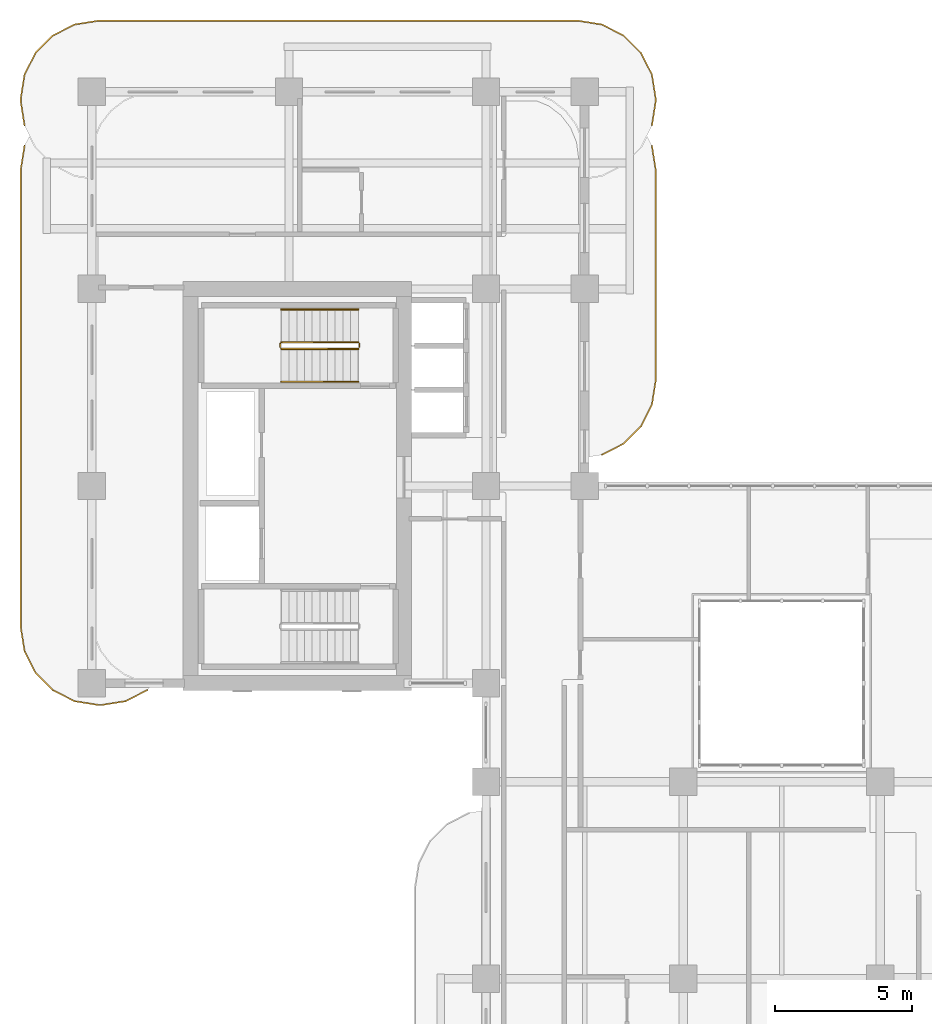
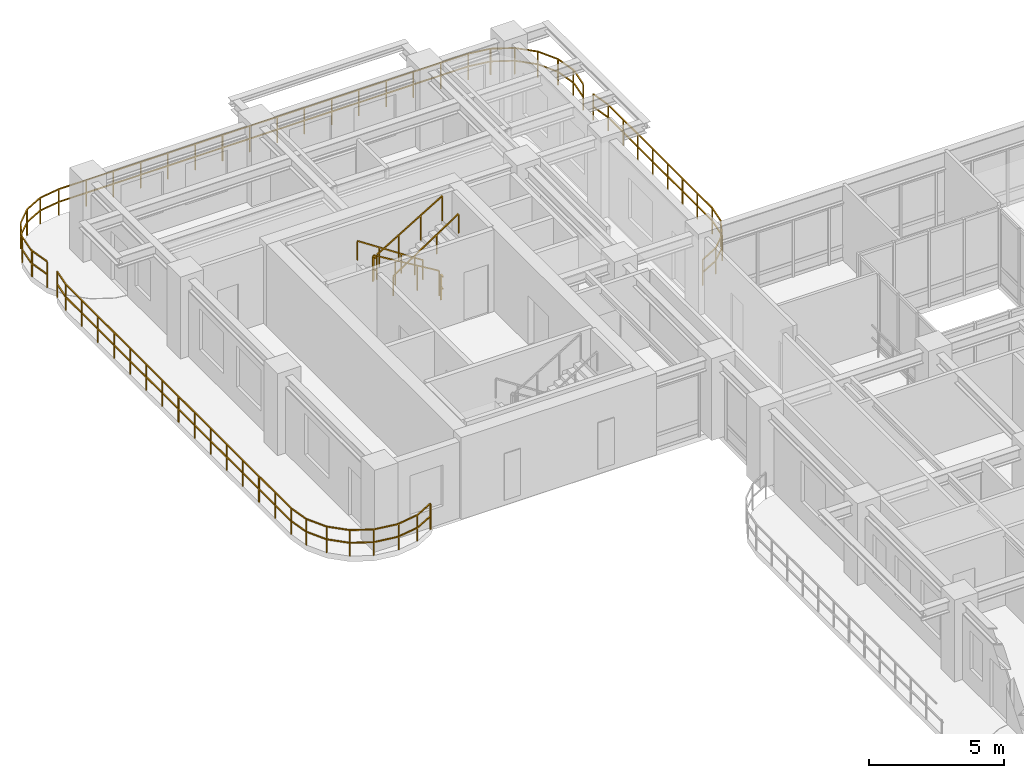
# One storey, part 20 of 20: 9 railings.
"""IFC4 building model written with IfcOpenShell, lengths in metres."""

from ifc_helpers import new_model, si_unit, derived_unit, direction, frame, origin, origin_2d, place, context, subcontext, project, spatial, rectangle, extrude, material, type_object, element, save


model = new_model("IFC4")

# Units and contexts
model_context = context("Model", 3, precision=1e-05, world=origin(), true_north=direction((0.0, 1.0)))
body_context = subcontext(model_context, "Body", "Model", "MODEL_VIEW")
ifc_project = project(units=[si_unit("LENGTHUNIT", "METRE"), si_unit("AREAUNIT", "SQUARE_METRE"), si_unit("VOLUMEUNIT", "CUBIC_METRE"), si_unit("PLANEANGLEUNIT", "RADIAN"), si_unit("MASSUNIT", "GRAM", prefix="KILO"), si_unit("THERMODYNAMICTEMPERATUREUNIT", "KELVIN"), si_unit("POWERUNIT", "WATT"), derived_unit("THERMALTRANSMITTANCEUNIT", [(si_unit("POWERUNIT", "WATT"), 1), (si_unit("AREAUNIT", "SQUARE_METRE"), -1), (si_unit("THERMODYNAMICTEMPERATUREUNIT", "KELVIN"), -1)])], contexts=[model_context])

# Site, building, storey
site_placement = place(None, origin())
site = spatial("IfcSite", under=ifc_project, at=site_placement, CompositionType="ELEMENT")
building_placement = place(site_placement, origin())
building = spatial("IfcBuilding", under=site, at=building_placement, Name="Zahravan Archway Hotel and Residences", CompositionType="ELEMENT")
storey_placement = place(building_placement, frame((0.0, 0.0, 137.699951171875)))
storey = spatial("IfcBuildingStorey", under=building, at=storey_placement, Name="L34", CompositionType="ELEMENT", Elevation=137.699951171875)

# Railings
ifc_material_1 = material(Name="Bronze & Laminated Glass Balustrade", Category="glass")
railing_type_1 = type_object("IfcRailingType", Name="RL-BAL-1200", PredefinedType="BALUSTRADE", material=ifc_material_1)
railing_1_placement = place(storey_placement, frame((-2.46044921875, 45.5693359375, 0.0)))
element("IfcRailing", 1, at=railing_1_placement, inside=storey, type_object=railing_type_1, Name="L34 Balustrade RL-SLB-BAL-L34-NB-1", PredefinedType="BALUSTRADE", context=body_context, shape_type="SweptSolid", body=[
    extrude(rectangle(XDim=0.048095703125, YDim=0.048095703125, at=origin_2d()), frame((0.0, 0.0, 1.17578125), z_axis=(-0.156623399917, 0.987658397726, 0.0), x_axis=(-0.987658397726, -0.156623399917, 0.0)), (0.0, 0.0, 1.0), 0.8916015625),
    extrude(rectangle(XDim=0.048095703125, YDim=0.048095703125, at=origin_2d()), frame((0.0, 0.0, 0.60009765625), z_axis=(-0.156623399917, 0.987658397726, 0.0), x_axis=(-0.987658397726, -0.156623399917, 0.0)), (0.0, 0.0, 1.0), 0.8916015625),
    extrude(rectangle(XDim=0.048095703125, YDim=0.048095703125, at=origin_2d()), frame((-0.1396484375, 0.880615234375, 1.17578125), z_axis=(0.0, 1.0, 0.0), x_axis=(-1.0, 0.0, 0.0)), (0.0, 0.0, 1.0), 0.10009765625),
    extrude(rectangle(XDim=0.048095703125, YDim=0.048095703125, at=origin_2d()), frame((-0.1396484375, 0.880615234375, 0.60009765625), z_axis=(0.0, 1.0, 0.0), x_axis=(-1.0, 0.0, 0.0)), (0.0, 0.0, 1.0), 0.10009765625),
    extrude(rectangle(XDim=0.048095703125, YDim=0.048095703125, at=origin_2d()), frame((-0.1396484375, 0.980712890625, 1.17578125), z_axis=(0.156623399917, 0.987658397726, 0.0), x_axis=(-0.987658397726, 0.156623399917, 0.0)), (0.0, 0.0, 1.0), 0.8916015625),
    extrude(rectangle(XDim=0.048095703125, YDim=0.048095703125, at=origin_2d()), frame((-0.1396484375, 0.980712890625, 0.60009765625), z_axis=(0.156623399917, 0.987658397726, 0.0), x_axis=(-0.987658397726, 0.156623399917, 0.0)), (0.0, 0.0, 1.0), 0.8916015625),
    extrude(rectangle(XDim=0.048095703125, YDim=0.048095703125, at=origin_2d()), frame((0.0, 1.861328125, 1.17578125), z_axis=(0.453991409995, 0.891006060389, 0.0), x_axis=(-0.891006060389, 0.453991409995, 0.0)), (0.0, 0.0, 1.0), 0.8916015625),
    extrude(rectangle(XDim=0.048095703125, YDim=0.048095703125, at=origin_2d()), frame((0.0, 1.861328125, 0.60009765625), z_axis=(0.453991409995, 0.891006060389, 0.0), x_axis=(-0.891006060389, 0.453991409995, 0.0)), (0.0, 0.0, 1.0), 0.8916015625),
    extrude(rectangle(XDim=0.048095703125, YDim=0.048095703125, at=origin_2d()), frame((0.40478515625, 2.65576171875, 1.17578125), z_axis=(0.706969864397, 0.70724367147, 0.0), x_axis=(-0.70724367147, 0.706969864397, 0.0)), (0.0, 0.0, 1.0), 0.8916015625),
    extrude(rectangle(XDim=0.048095703125, YDim=0.048095703125, at=origin_2d()), frame((0.40478515625, 2.65576171875, 0.60009765625), z_axis=(0.706969864397, 0.70724367147, 0.0), x_axis=(-0.70724367147, 0.706969864397, 0.0)), (0.0, 0.0, 1.0), 0.8916015625),
    extrude(rectangle(XDim=0.048095703125, YDim=0.048095703125, at=origin_2d()), frame((1.03515625, 3.286376953125, 1.17578125), z_axis=(0.891062476022, 0.45388067135, 0.0), x_axis=(-0.45388067135, 0.891062476022, 0.0)), (0.0, 0.0, 1.0), 0.891845703125),
    extrude(rectangle(XDim=0.048095703125, YDim=0.048095703125, at=origin_2d()), frame((1.03515625, 3.286376953125, 0.60009765625), z_axis=(0.891062476022, 0.45388067135, 0.0), x_axis=(-0.45388067135, 0.891062476022, 0.0)), (0.0, 0.0, 1.0), 0.891845703125),
    extrude(rectangle(XDim=0.048095703125, YDim=0.048095703125, at=origin_2d()), frame((1.829833984375, 3.691162109375, 1.17578125), z_axis=(0.987700720307, 0.156356282588, 0.0), x_axis=(-0.156356282588, 0.987700720307, 0.0)), (0.0, 0.0, 1.0), 0.8916015625),
    extrude(rectangle(XDim=0.048095703125, YDim=0.048095703125, at=origin_2d()), frame((1.829833984375, 3.691162109375, 0.60009765625), z_axis=(0.987700720307, 0.156356282588, 0.0), x_axis=(-0.156356282588, 0.987700720307, 0.0)), (0.0, 0.0, 1.0), 0.8916015625),
    extrude(rectangle(XDim=0.048095703125, YDim=0.048095703125, at=origin_2d()), frame((2.71044921875, 3.83056640625, 1.17578125), z_axis=(1.0, 0.0, 0.0), x_axis=(0.0, 1.0, 0.0)), (0.0, 0.0, 1.0), 17.5),
    extrude(rectangle(XDim=0.048095703125, YDim=0.048095703125, at=origin_2d()), frame((2.71044921875, 3.83056640625, 0.60009765625), z_axis=(1.0, 0.0, 0.0), x_axis=(0.0, 1.0, 0.0)), (0.0, 0.0, 1.0), 17.5),
    extrude(rectangle(XDim=0.048095703125, YDim=0.048095703125, at=origin_2d()), frame((20.21044921875, 3.83056640625, 1.17578125), z_axis=(0.987700720307, -0.156356282588, 0.0), x_axis=(0.156356282588, 0.987700720307, 0.0)), (0.0, 0.0, 1.0), 0.8916015625),
    extrude(rectangle(XDim=0.048095703125, YDim=0.048095703125, at=origin_2d()), frame((20.21044921875, 3.83056640625, 0.60009765625), z_axis=(0.987700720307, -0.156356282588, 0.0), x_axis=(0.156356282588, 0.987700720307, 0.0)), (0.0, 0.0, 1.0), 0.8916015625),
    extrude(rectangle(XDim=0.048095703125, YDim=0.048095703125, at=origin_2d()), frame((21.091064453125, 3.691162109375, 1.17578125), z_axis=(0.891062476022, -0.45388067135, 0.0), x_axis=(0.45388067135, 0.891062476022, 0.0)), (0.0, 0.0, 1.0), 0.891845703125),
    extrude(rectangle(XDim=0.048095703125, YDim=0.048095703125, at=origin_2d()), frame((21.091064453125, 3.691162109375, 0.60009765625), z_axis=(0.891062476022, -0.45388067135, 0.0), x_axis=(0.45388067135, 0.891062476022, 0.0)), (0.0, 0.0, 1.0), 0.891845703125),
    extrude(rectangle(XDim=0.048095703125, YDim=0.048095703125, at=origin_2d()), frame((21.8857421875, 3.286376953125, 1.17578125), z_axis=(0.706969864397, -0.70724367147, 0.0), x_axis=(0.70724367147, 0.706969864397, 0.0)), (0.0, 0.0, 1.0), 0.8916015625),
    extrude(rectangle(XDim=0.048095703125, YDim=0.048095703125, at=origin_2d()), frame((21.8857421875, 3.286376953125, 0.60009765625), z_axis=(0.706969864397, -0.70724367147, 0.0), x_axis=(0.70724367147, 0.706969864397, 0.0)), (0.0, 0.0, 1.0), 0.8916015625),
    extrude(rectangle(XDim=0.048095703125, YDim=0.048095703125, at=origin_2d()), frame((22.51611328125, 2.65576171875, 1.17578125), z_axis=(0.453991409995, -0.891006060389, 0.0), x_axis=(0.891006060389, 0.453991409995, 0.0)), (0.0, 0.0, 1.0), 0.8916015625),
    extrude(rectangle(XDim=0.048095703125, YDim=0.048095703125, at=origin_2d()), frame((22.51611328125, 2.65576171875, 0.60009765625), z_axis=(0.453991409995, -0.891006060389, 0.0), x_axis=(0.891006060389, 0.453991409995, 0.0)), (0.0, 0.0, 1.0), 0.8916015625),
    extrude(rectangle(XDim=0.048095703125, YDim=0.048095703125, at=origin_2d()), frame((22.9208984375, 1.861328125, 1.17578125), z_axis=(0.156623399917, -0.987658397726, 0.0), x_axis=(0.987658397726, 0.156623399917, 0.0)), (0.0, 0.0, 1.0), 0.8916015625),
    extrude(rectangle(XDim=0.048095703125, YDim=0.048095703125, at=origin_2d()), frame((22.9208984375, 1.861328125, 0.60009765625), z_axis=(0.156623399917, -0.987658397726, 0.0), x_axis=(0.987658397726, 0.156623399917, 0.0)), (0.0, 0.0, 1.0), 0.8916015625),
    extrude(rectangle(XDim=0.048095703125, YDim=0.048095703125, at=origin_2d()), frame((23.060546875, 0.980712890625, 1.17578125), z_axis=(0.0, -1.0, 0.0), x_axis=(1.0, 0.0, 0.0)), (0.0, 0.0, 1.0), 0.10009765625),
    extrude(rectangle(XDim=0.048095703125, YDim=0.048095703125, at=origin_2d()), frame((23.060546875, 0.980712890625, 0.60009765625), z_axis=(0.0, -1.0, 0.0), x_axis=(1.0, 0.0, 0.0)), (0.0, 0.0, 1.0), 0.10009765625),
    extrude(rectangle(XDim=0.048095703125, YDim=0.048095703125, at=origin_2d()), frame((23.060546875, 0.880615234375, 1.17578125), z_axis=(-0.156623399917, -0.987658397726, 0.0), x_axis=(0.987658397726, -0.156623399917, 0.0)), (0.0, 0.0, 1.0), 0.8916015625),
    extrude(rectangle(XDim=0.048095703125, YDim=0.048095703125, at=origin_2d()), frame((23.060546875, 0.880615234375, 0.60009765625), z_axis=(-0.156623399917, -0.987658397726, 0.0), x_axis=(0.987658397726, -0.156623399917, 0.0)), (0.0, 0.0, 1.0), 0.8916015625),
    extrude(rectangle(XDim=0.0419921875, YDim=0.0419921875, at=origin_2d()), origin(), (0.0, 0.0, 1.0), 1.15185546875),
    extrude(rectangle(XDim=0.0419921875, YDim=0.0419921875, at=origin_2d()), frame((-0.1396484375, 0.880615234375, 0.0)), (0.0, 0.0, 1.0), 1.15185546875),
    extrude(rectangle(XDim=0.0419921875, YDim=0.0419921875, at=origin_2d()), frame((0.0, 1.861328125, 0.0)), (0.0, 0.0, 1.0), 1.15185546875),
    extrude(rectangle(XDim=0.0419921875, YDim=0.0419921875, at=origin_2d()), frame((0.40478515625, 2.65576171875, 0.0)), (0.0, 0.0, 1.0), 1.15185546875),
    extrude(rectangle(XDim=0.0419921875, YDim=0.0419921875, at=origin_2d()), frame((1.03515625, 3.286376953125, 0.0)), (0.0, 0.0, 1.0), 1.15185546875),
    extrude(rectangle(XDim=0.0419921875, YDim=0.0419921875, at=origin_2d()), frame((1.829833984375, 3.691162109375, 0.0)), (0.0, 0.0, 1.0), 1.15185546875),
    extrude(rectangle(XDim=0.0419921875, YDim=0.0419921875, at=origin_2d()), frame((2.71044921875, 3.83056640625, 0.0)), (0.0, 0.0, 1.0), 1.15185546875),
    extrude(rectangle(XDim=0.0419921875, YDim=0.0419921875, at=origin_2d()), frame((3.877197265625, 3.83056640625, 0.0)), (0.0, 0.0, 1.0), 1.15185546875),
    extrude(rectangle(XDim=0.0419921875, YDim=0.0419921875, at=origin_2d()), frame((5.043701171875, 3.83056640625, 0.0)), (0.0, 0.0, 1.0), 1.15185546875),
    extrude(rectangle(XDim=0.0419921875, YDim=0.0419921875, at=origin_2d()), frame((6.21044921875, 3.83056640625, 0.0)), (0.0, 0.0, 1.0), 1.15185546875),
    extrude(rectangle(XDim=0.0419921875, YDim=0.0419921875, at=origin_2d()), frame((7.377197265625, 3.83056640625, 0.0)), (0.0, 0.0, 1.0), 1.15185546875),
    extrude(rectangle(XDim=0.0419921875, YDim=0.0419921875, at=origin_2d()), frame((8.543701171875, 3.83056640625, 0.0)), (0.0, 0.0, 1.0), 1.15185546875),
    extrude(rectangle(XDim=0.0419921875, YDim=0.0419921875, at=origin_2d()), frame((9.71044921875, 3.83056640625, 0.0)), (0.0, 0.0, 1.0), 1.15185546875),
    extrude(rectangle(XDim=0.0419921875, YDim=0.0419921875, at=origin_2d()), frame((10.877197265625, 3.83056640625, 0.0)), (0.0, 0.0, 1.0), 1.15185546875),
    extrude(rectangle(XDim=0.0419921875, YDim=0.0419921875, at=origin_2d()), frame((12.043701171875, 3.83056640625, 0.0)), (0.0, 0.0, 1.0), 1.15185546875),
    extrude(rectangle(XDim=0.0419921875, YDim=0.0419921875, at=origin_2d()), frame((13.21044921875, 3.83056640625, 0.0)), (0.0, 0.0, 1.0), 1.15185546875),
    extrude(rectangle(XDim=0.0419921875, YDim=0.0419921875, at=origin_2d()), frame((14.377197265625, 3.83056640625, 0.0)), (0.0, 0.0, 1.0), 1.15185546875),
    extrude(rectangle(XDim=0.0419921875, YDim=0.0419921875, at=origin_2d()), frame((15.543701171875, 3.83056640625, 0.0)), (0.0, 0.0, 1.0), 1.15185546875),
    extrude(rectangle(XDim=0.0419921875, YDim=0.0419921875, at=origin_2d()), frame((16.71044921875, 3.83056640625, 0.0)), (0.0, 0.0, 1.0), 1.15185546875),
    extrude(rectangle(XDim=0.0419921875, YDim=0.0419921875, at=origin_2d()), frame((17.877197265625, 3.83056640625, 0.0)), (0.0, 0.0, 1.0), 1.15185546875),
    extrude(rectangle(XDim=0.0419921875, YDim=0.0419921875, at=origin_2d()), frame((19.043701171875, 3.83056640625, 0.0)), (0.0, 0.0, 1.0), 1.15185546875),
    extrude(rectangle(XDim=0.0419921875, YDim=0.0419921875, at=origin_2d()), frame((20.21044921875, 3.83056640625, 0.0)), (0.0, 0.0, 1.0), 1.15185546875),
    extrude(rectangle(XDim=0.0419921875, YDim=0.0419921875, at=origin_2d()), frame((21.091064453125, 3.691162109375, 0.0)), (0.0, 0.0, 1.0), 1.15185546875),
    extrude(rectangle(XDim=0.0419921875, YDim=0.0419921875, at=origin_2d()), frame((21.8857421875, 3.286376953125, 0.0)), (0.0, 0.0, 1.0), 1.15185546875),
    extrude(rectangle(XDim=0.0419921875, YDim=0.0419921875, at=origin_2d()), frame((22.51611328125, 2.65576171875, 0.0)), (0.0, 0.0, 1.0), 1.15185546875),
    extrude(rectangle(XDim=0.0419921875, YDim=0.0419921875, at=origin_2d()), frame((22.9208984375, 1.861328125, 0.0)), (0.0, 0.0, 1.0), 1.15185546875),
    extrude(rectangle(XDim=0.0419921875, YDim=0.0419921875, at=origin_2d()), frame((23.060546875, 0.980712890625, 0.0)), (0.0, 0.0, 1.0), 1.15185546875),
    extrude(rectangle(XDim=0.0419921875, YDim=0.0419921875, at=origin_2d()), frame((22.9208984375, 0.0, 0.0)), (0.0, 0.0, 1.0), 1.15185546875),
])
railing_2_placement = place(storey_placement, frame((2.025146484375, 24.9443359375, 0.0)))
element("IfcRailing", 2, at=railing_2_placement, inside=storey, type_object=railing_type_1, Name="L34 Balustrade RL-SLB-BAL-L34-WB-1", PredefinedType="BALUSTRADE", context=body_context, shape_type="SweptSolid", body=[
    extrude(rectangle(XDim=0.048095703125, YDim=0.048095703125, at=origin_2d()), frame((0.0, 0.0, 1.17578125), z_axis=(-0.891006060389, -0.453991409995, 0.0), x_axis=(0.453991409995, -0.891006060389, 0.0)), (0.0, 0.0, 1.0), 0.8916015625),
    extrude(rectangle(XDim=0.048095703125, YDim=0.048095703125, at=origin_2d()), frame((0.0, 0.0, 0.60009765625), z_axis=(-0.891006060389, -0.453991409995, 0.0), x_axis=(0.453991409995, -0.891006060389, 0.0)), (0.0, 0.0, 1.0), 0.8916015625),
    extrude(rectangle(XDim=0.048095703125, YDim=0.048095703125, at=origin_2d()), frame((-0.79443359375, -0.40478515625, 1.17578125), z_axis=(-0.987658397726, -0.156623399917, 0.0), x_axis=(0.156623399917, -0.987658397726, 0.0)), (0.0, 0.0, 1.0), 0.8916015625),
    extrude(rectangle(XDim=0.048095703125, YDim=0.048095703125, at=origin_2d()), frame((-0.79443359375, -0.40478515625, 0.60009765625), z_axis=(-0.987658397726, -0.156623399917, 0.0), x_axis=(0.156623399917, -0.987658397726, 0.0)), (0.0, 0.0, 1.0), 0.8916015625),
    extrude(rectangle(XDim=0.048095703125, YDim=0.048095703125, at=origin_2d()), frame((-1.675048828125, -0.54443359375, 1.17578125), z_axis=(-1.0, 0.0, 0.0), x_axis=(0.0, -1.0, 0.0)), (0.0, 0.0, 1.0), 0.10009765625),
    extrude(rectangle(XDim=0.048095703125, YDim=0.048095703125, at=origin_2d()), frame((-1.675048828125, -0.54443359375, 0.60009765625), z_axis=(-1.0, 0.0, 0.0), x_axis=(0.0, -1.0, 0.0)), (0.0, 0.0, 1.0), 0.10009765625),
    extrude(rectangle(XDim=0.048095703125, YDim=0.048095703125, at=origin_2d()), frame((-1.775146484375, -0.54443359375, 1.17578125), z_axis=(-0.987658397726, 0.156623399917, 0.0), x_axis=(-0.156623399917, -0.987658397726, 0.0)), (0.0, 0.0, 1.0), 0.8916015625),
    extrude(rectangle(XDim=0.048095703125, YDim=0.048095703125, at=origin_2d()), frame((-1.775146484375, -0.54443359375, 0.60009765625), z_axis=(-0.987658397726, 0.156623399917, 0.0), x_axis=(-0.156623399917, -0.987658397726, 0.0)), (0.0, 0.0, 1.0), 0.8916015625),
    extrude(rectangle(XDim=0.048095703125, YDim=0.048095703125, at=origin_2d()), frame((-2.65576171875, -0.40478515625, 1.17578125), z_axis=(-0.891062476022, 0.45388067135, 0.0), x_axis=(-0.45388067135, -0.891062476022, 0.0)), (0.0, 0.0, 1.0), 0.891845703125),
    extrude(rectangle(XDim=0.048095703125, YDim=0.048095703125, at=origin_2d()), frame((-2.65576171875, -0.40478515625, 0.60009765625), z_axis=(-0.891062476022, 0.45388067135, 0.0), x_axis=(-0.45388067135, -0.891062476022, 0.0)), (0.0, 0.0, 1.0), 0.891845703125),
    extrude(rectangle(XDim=0.048095703125, YDim=0.048095703125, at=origin_2d()), frame((-3.450439453125, 0.0, 1.17578125), z_axis=(-0.707106781187, 0.707106781187, 0.0), x_axis=(-0.707106781187, -0.707106781187, 0.0)), (0.0, 0.0, 1.0), 0.891357421875),
    extrude(rectangle(XDim=0.048095703125, YDim=0.048095703125, at=origin_2d()), frame((-3.450439453125, 0.0, 0.60009765625), z_axis=(-0.707106781187, 0.707106781187, 0.0), x_axis=(-0.707106781187, -0.707106781187, 0.0)), (0.0, 0.0, 1.0), 0.891357421875),
    extrude(rectangle(XDim=0.048095703125, YDim=0.048095703125, at=origin_2d()), frame((-4.080810546875, 0.63037109375, 1.17578125), z_axis=(-0.45388067135, 0.891062476022, 0.0), x_axis=(-0.891062476022, -0.45388067135, 0.0)), (0.0, 0.0, 1.0), 0.891845703125),
    extrude(rectangle(XDim=0.048095703125, YDim=0.048095703125, at=origin_2d()), frame((-4.080810546875, 0.63037109375, 0.60009765625), z_axis=(-0.45388067135, 0.891062476022, 0.0), x_axis=(-0.891062476022, -0.45388067135, 0.0)), (0.0, 0.0, 1.0), 0.891845703125),
    extrude(rectangle(XDim=0.048095703125, YDim=0.048095703125, at=origin_2d()), frame((-4.485595703125, 1.425048828125, 1.17578125), z_axis=(-0.156623399917, 0.987658397726, 0.0), x_axis=(-0.987658397726, -0.156623399917, 0.0)), (0.0, 0.0, 1.0), 0.8916015625),
    extrude(rectangle(XDim=0.048095703125, YDim=0.048095703125, at=origin_2d()), frame((-4.485595703125, 1.425048828125, 0.60009765625), z_axis=(-0.156623399917, 0.987658397726, 0.0), x_axis=(-0.987658397726, -0.156623399917, 0.0)), (0.0, 0.0, 1.0), 0.8916015625),
    extrude(rectangle(XDim=0.048095703125, YDim=0.048095703125, at=origin_2d()), frame((-4.625244140625, 2.3056640625, 1.17578125), z_axis=(0.0, 1.0, 0.0), x_axis=(-1.0, 0.0, 0.0)), (0.0, 0.0, 1.0), 16.699951171875),
    extrude(rectangle(XDim=0.048095703125, YDim=0.048095703125, at=origin_2d()), frame((-4.625244140625, 2.3056640625, 0.60009765625), z_axis=(0.0, 1.0, 0.0), x_axis=(-1.0, 0.0, 0.0)), (0.0, 0.0, 1.0), 16.699951171875),
    extrude(rectangle(XDim=0.048095703125, YDim=0.048095703125, at=origin_2d()), frame((-4.625244140625, 19.005615234375, 1.17578125), z_axis=(0.156581054338, 0.98766511198, 0.0), x_axis=(-0.98766511198, 0.156581054338, 0.0)), (0.0, 0.0, 1.0), 0.891845703125),
    extrude(rectangle(XDim=0.048095703125, YDim=0.048095703125, at=origin_2d()), frame((-4.625244140625, 19.005615234375, 0.60009765625), z_axis=(0.156581054338, 0.98766511198, 0.0), x_axis=(-0.98766511198, 0.156581054338, 0.0)), (0.0, 0.0, 1.0), 0.891845703125),
    extrude(rectangle(XDim=0.0419921875, YDim=0.0419921875, at=origin_2d()), origin(), (0.0, 0.0, 1.0), 1.15185546875),
    extrude(rectangle(XDim=0.0419921875, YDim=0.0419921875, at=origin_2d()), frame((-0.79443359375, -0.40478515625, 0.0)), (0.0, 0.0, 1.0), 1.15185546875),
    extrude(rectangle(XDim=0.0419921875, YDim=0.0419921875, at=origin_2d()), frame((-1.675048828125, -0.54443359375, 0.0)), (0.0, 0.0, 1.0), 1.15185546875),
    extrude(rectangle(XDim=0.0419921875, YDim=0.0419921875, at=origin_2d()), frame((-2.65576171875, -0.40478515625, 0.0)), (0.0, 0.0, 1.0), 1.15185546875),
    extrude(rectangle(XDim=0.0419921875, YDim=0.0419921875, at=origin_2d()), frame((-3.450439453125, 0.0, 0.0)), (0.0, 0.0, 1.0), 1.15185546875),
    extrude(rectangle(XDim=0.0419921875, YDim=0.0419921875, at=origin_2d()), frame((-4.080810546875, 0.63037109375, 0.0)), (0.0, 0.0, 1.0), 1.15185546875),
    extrude(rectangle(XDim=0.0419921875, YDim=0.0419921875, at=origin_2d()), frame((-4.485595703125, 1.425048828125, 0.0)), (0.0, 0.0, 1.0), 1.15185546875),
    extrude(rectangle(XDim=0.0419921875, YDim=0.0419921875, at=origin_2d()), frame((-4.625244140625, 2.3056640625, 0.0)), (0.0, 0.0, 1.0), 1.15185546875),
    extrude(rectangle(XDim=0.0419921875, YDim=0.0419921875, at=origin_2d()), frame((-4.625244140625, 3.49853515625, 0.0)), (0.0, 0.0, 1.0), 1.15185546875),
    extrude(rectangle(XDim=0.0419921875, YDim=0.0419921875, at=origin_2d()), frame((-4.625244140625, 4.69140625, 0.0)), (0.0, 0.0, 1.0), 1.15185546875),
    extrude(rectangle(XDim=0.0419921875, YDim=0.0419921875, at=origin_2d()), frame((-4.625244140625, 5.88427734375, 0.0)), (0.0, 0.0, 1.0), 1.15185546875),
    extrude(rectangle(XDim=0.0419921875, YDim=0.0419921875, at=origin_2d()), frame((-4.625244140625, 7.0771484375, 0.0)), (0.0, 0.0, 1.0), 1.15185546875),
    extrude(rectangle(XDim=0.0419921875, YDim=0.0419921875, at=origin_2d()), frame((-4.625244140625, 8.27001953125, 0.0)), (0.0, 0.0, 1.0), 1.15185546875),
    extrude(rectangle(XDim=0.0419921875, YDim=0.0419921875, at=origin_2d()), frame((-4.625244140625, 9.462890625, 0.0)), (0.0, 0.0, 1.0), 1.15185546875),
    extrude(rectangle(XDim=0.0419921875, YDim=0.0419921875, at=origin_2d()), frame((-4.625244140625, 10.65576171875, 0.0)), (0.0, 0.0, 1.0), 1.15185546875),
    extrude(rectangle(XDim=0.0419921875, YDim=0.0419921875, at=origin_2d()), frame((-4.625244140625, 11.848388671875, 0.0)), (0.0, 0.0, 1.0), 1.15185546875),
    extrude(rectangle(XDim=0.0419921875, YDim=0.0419921875, at=origin_2d()), frame((-4.625244140625, 13.041259765625, 0.0)), (0.0, 0.0, 1.0), 1.15185546875),
    extrude(rectangle(XDim=0.0419921875, YDim=0.0419921875, at=origin_2d()), frame((-4.625244140625, 14.234130859375, 0.0)), (0.0, 0.0, 1.0), 1.15185546875),
    extrude(rectangle(XDim=0.0419921875, YDim=0.0419921875, at=origin_2d()), frame((-4.625244140625, 15.427001953125, 0.0)), (0.0, 0.0, 1.0), 1.15185546875),
    extrude(rectangle(XDim=0.0419921875, YDim=0.0419921875, at=origin_2d()), frame((-4.625244140625, 16.619873046875, 0.0)), (0.0, 0.0, 1.0), 1.15185546875),
    extrude(rectangle(XDim=0.0419921875, YDim=0.0419921875, at=origin_2d()), frame((-4.625244140625, 17.812744140625, 0.0)), (0.0, 0.0, 1.0), 1.15185546875),
    extrude(rectangle(XDim=0.0419921875, YDim=0.0419921875, at=origin_2d()), frame((-4.625244140625, 19.005615234375, 0.0)), (0.0, 0.0, 1.0), 1.15185546875),
    extrude(rectangle(XDim=0.0419921875, YDim=0.0419921875, at=origin_2d()), frame((-4.485595703125, 19.886474609375, 0.0)), (0.0, 0.0, 1.0), 1.15185546875),
])
railing_3_placement = place(storey_placement, frame((20.46044921875, 44.830810546875, 0.0)))
element("IfcRailing", 3, at=railing_3_placement, inside=storey, type_object=railing_type_1, Name="L34 Balustrade RL-SLB-BAL-L34-EB-1", PredefinedType="BALUSTRADE", context=body_context, shape_type="SweptSolid", body=[
    extrude(rectangle(XDim=0.048095703125, YDim=0.048095703125, at=origin_2d()), frame((0.0, 0.0, 1.17578125), z_axis=(0.156581054338, -0.98766511198, 0.0), x_axis=(0.98766511198, 0.156581054338, 0.0)), (0.0, 0.0, 1.0), 0.891845703125),
    extrude(rectangle(XDim=0.048095703125, YDim=0.048095703125, at=origin_2d()), frame((0.0, 0.0, 0.60009765625), z_axis=(0.156581054338, -0.98766511198, 0.0), x_axis=(0.98766511198, 0.156581054338, 0.0)), (0.0, 0.0, 1.0), 0.891845703125),
    extrude(rectangle(XDim=0.048095703125, YDim=0.048095703125, at=origin_2d()), frame((0.1396484375, -0.880859375, 1.17578125), z_axis=(0.0, -1.0, 0.0), x_axis=(1.0, 0.0, 0.0)), (0.0, 0.0, 1.0), 7.699951171875),
    extrude(rectangle(XDim=0.048095703125, YDim=0.048095703125, at=origin_2d()), frame((0.1396484375, -0.880859375, 0.60009765625), z_axis=(0.0, -1.0, 0.0), x_axis=(1.0, 0.0, 0.0)), (0.0, 0.0, 1.0), 7.699951171875),
    extrude(rectangle(XDim=0.048095703125, YDim=0.048095703125, at=origin_2d()), frame((0.1396484375, -8.580810546875, 1.17578125), z_axis=(-0.156623399917, -0.987658397726, 0.0), x_axis=(0.987658397726, -0.156623399917, 0.0)), (0.0, 0.0, 1.0), 0.8916015625),
    extrude(rectangle(XDim=0.048095703125, YDim=0.048095703125, at=origin_2d()), frame((0.1396484375, -8.580810546875, 0.60009765625), z_axis=(-0.156623399917, -0.987658397726, 0.0), x_axis=(0.987658397726, -0.156623399917, 0.0)), (0.0, 0.0, 1.0), 0.8916015625),
    extrude(rectangle(XDim=0.048095703125, YDim=0.048095703125, at=origin_2d()), frame((0.0, -9.46142578125, 1.17578125), z_axis=(-0.45388067135, -0.891062476022, 0.0), x_axis=(0.891062476022, -0.45388067135, 0.0)), (0.0, 0.0, 1.0), 0.891845703125),
    extrude(rectangle(XDim=0.048095703125, YDim=0.048095703125, at=origin_2d()), frame((0.0, -9.46142578125, 0.60009765625), z_axis=(-0.45388067135, -0.891062476022, 0.0), x_axis=(0.891062476022, -0.45388067135, 0.0)), (0.0, 0.0, 1.0), 0.891845703125),
    extrude(rectangle(XDim=0.048095703125, YDim=0.048095703125, at=origin_2d()), frame((-0.40478515625, -10.256103515625, 1.17578125), z_axis=(-0.707106781187, -0.707106781187, 0.0), x_axis=(0.707106781187, -0.707106781187, 0.0)), (0.0, 0.0, 1.0), 0.891357421875),
    extrude(rectangle(XDim=0.048095703125, YDim=0.048095703125, at=origin_2d()), frame((-0.40478515625, -10.256103515625, 0.60009765625), z_axis=(-0.707106781187, -0.707106781187, 0.0), x_axis=(0.707106781187, -0.707106781187, 0.0)), (0.0, 0.0, 1.0), 0.891357421875),
    extrude(rectangle(XDim=0.048095703125, YDim=0.048095703125, at=origin_2d()), frame((-1.03515625, -10.886474609375, 1.17578125), z_axis=(-0.891062476022, -0.45388067135, 0.0), x_axis=(0.45388067135, -0.891062476022, 0.0)), (0.0, 0.0, 1.0), 0.891845703125),
    extrude(rectangle(XDim=0.048095703125, YDim=0.048095703125, at=origin_2d()), frame((-1.03515625, -10.886474609375, 0.60009765625), z_axis=(-0.891062476022, -0.45388067135, 0.0), x_axis=(0.45388067135, -0.891062476022, 0.0)), (0.0, 0.0, 1.0), 0.891845703125),
    extrude(rectangle(XDim=0.0419921875, YDim=0.0419921875, at=origin_2d()), origin(), (0.0, 0.0, 1.0), 1.15185546875),
    extrude(rectangle(XDim=0.0419921875, YDim=0.0419921875, at=origin_2d()), frame((0.1396484375, -0.880859375, 0.0)), (0.0, 0.0, 1.0), 1.15185546875),
    extrude(rectangle(XDim=0.0419921875, YDim=0.0419921875, at=origin_2d()), frame((0.1396484375, -1.98095703125, 0.0)), (0.0, 0.0, 1.0), 1.15185546875),
    extrude(rectangle(XDim=0.0419921875, YDim=0.0419921875, at=origin_2d()), frame((0.1396484375, -3.080810546875, 0.0)), (0.0, 0.0, 1.0), 1.15185546875),
    extrude(rectangle(XDim=0.0419921875, YDim=0.0419921875, at=origin_2d()), frame((0.1396484375, -4.180908203125, 0.0)), (0.0, 0.0, 1.0), 1.15185546875),
    extrude(rectangle(XDim=0.0419921875, YDim=0.0419921875, at=origin_2d()), frame((0.1396484375, -5.28076171875, 0.0)), (0.0, 0.0, 1.0), 1.15185546875),
    extrude(rectangle(XDim=0.0419921875, YDim=0.0419921875, at=origin_2d()), frame((0.1396484375, -6.380859375, 0.0)), (0.0, 0.0, 1.0), 1.15185546875),
    extrude(rectangle(XDim=0.0419921875, YDim=0.0419921875, at=origin_2d()), frame((0.1396484375, -7.480712890625, 0.0)), (0.0, 0.0, 1.0), 1.15185546875),
    extrude(rectangle(XDim=0.0419921875, YDim=0.0419921875, at=origin_2d()), frame((0.1396484375, -8.580810546875, 0.0)), (0.0, 0.0, 1.0), 1.15185546875),
    extrude(rectangle(XDim=0.0419921875, YDim=0.0419921875, at=origin_2d()), frame((0.0, -9.46142578125, 0.0)), (0.0, 0.0, 1.0), 1.15185546875),
    extrude(rectangle(XDim=0.0419921875, YDim=0.0419921875, at=origin_2d()), frame((-0.40478515625, -10.256103515625, 0.0)), (0.0, 0.0, 1.0), 1.15185546875),
    extrude(rectangle(XDim=0.0419921875, YDim=0.0419921875, at=origin_2d()), frame((-1.03515625, -10.886474609375, 0.0)), (0.0, 0.0, 1.0), 1.15185546875),
    extrude(rectangle(XDim=0.0419921875, YDim=0.0419921875, at=origin_2d()), frame((-1.829833984375, -11.291259765625, 0.0)), (0.0, 0.0, 1.0), 1.15185546875),
])
ifc_material_2 = material(Name="Painted Tubular Steel", Category="steel")
railing_type_2 = type_object("IfcRailingType", Name="RL-STG-1150", PredefinedType="GUARDRAIL", material=ifc_material_2)
railing_4_placement = place(storey_placement, frame((9.72998046875, 37.64990234375, 0.168212890625)))
element("IfcRailing", 4, at=railing_4_placement, inside=storey, type_object=railing_type_2, Name="L34 ST-B2 stair guard 1", PredefinedType="GUARDRAIL", context=body_context, shape_type="SweptSolid", body=[
    extrude(rectangle(XDim=0.048095703125, YDim=0.048095703125, at=origin_2d()), frame((0.0, 0.0, 1.1259765625), z_axis=(-0.857242210791, 0.0, 0.514913383045), x_axis=(0.0, -1.0, 0.0)), (0.0, 0.0, 1.0), 3.266357421875),
    extrude(rectangle(XDim=0.0419921875, YDim=0.0419921875, at=origin_2d()), origin(), (0.0, 0.0, 1.0), 1.101806640625),
    extrude(rectangle(XDim=0.0419921875, YDim=0.0419921875, at=origin_2d()), frame((-0.933349609375, 0.0, 0.560546875)), (0.0, 0.0, 1.0), 1.101806640625),
    extrude(rectangle(XDim=0.0419921875, YDim=0.0419921875, at=origin_2d()), frame((-1.86669921875, 0.0, 1.121337890625)), (0.0, 0.0, 1.0), 1.101806640625),
    extrude(rectangle(XDim=0.0419921875, YDim=0.0419921875, at=origin_2d()), frame((-2.800048828125, 0.0, 1.681884765625)), (0.0, 0.0, 1.0), 1.101806640625),
])
railing_5_placement = place(storey_placement, frame((6.8798828125, 37.60009765625, 1.85009765625)))
element("IfcRailing", 5, at=railing_5_placement, inside=storey, type_object=railing_type_2, Name="L34 ST-B2 stair guard 2", PredefinedType="GUARDRAIL", context=body_context, shape_type="SweptSolid", body=[
    extrude(rectangle(XDim=0.048095703125, YDim=0.048095703125, at=origin_2d()), frame((0.0, 0.0, 1.1259765625), z_axis=(0.0, -1.0, 0.0), x_axis=(1.0, 0.0, 0.0)), (0.0, 0.0, 1.0), 0.14013671875),
    extrude(rectangle(XDim=0.048095703125, YDim=0.048095703125, at=origin_2d()), frame((0.0, 0.0, 0.574951171875), z_axis=(0.0, -1.0, 0.0), x_axis=(1.0, 0.0, 0.0)), (0.0, 0.0, 1.0), 0.14013671875),
    extrude(rectangle(XDim=0.0419921875, YDim=0.0419921875, at=origin_2d()), origin(), (0.0, 0.0, 1.0), 1.101806640625),
])
railing_6_placement = place(storey_placement, frame((6.929931640625, 37.409912109375, 2.018310546875)))
element("IfcRailing", 6, at=railing_6_placement, inside=storey, type_object=railing_type_2, Name="L34 ST-B2 stair guard 3", PredefinedType="GUARDRAIL", context=body_context, shape_type="SweptSolid", body=[
    extrude(rectangle(XDim=0.048095703125, YDim=0.048095703125, at=origin_2d()), frame((0.0, 0.0, 1.1259765625), z_axis=(0.857275202839, 0.0, 0.514858452973), x_axis=(0.0, 1.0, 0.0)), (0.0, 0.0, 1.0), 3.26611328125),
    extrude(rectangle(XDim=0.0419921875, YDim=0.0419921875, at=origin_2d()), origin(), (0.0, 0.0, 1.0), 1.101806640625),
    extrude(rectangle(XDim=0.0419921875, YDim=0.0419921875, at=origin_2d()), frame((0.933349609375, 0.0, 0.560546875)), (0.0, 0.0, 1.0), 1.101806640625),
    extrude(rectangle(XDim=0.0419921875, YDim=0.0419921875, at=origin_2d()), frame((1.86669921875, 0.0, 1.12109375)), (0.0, 0.0, 1.0), 1.101806640625),
    extrude(rectangle(XDim=0.0419921875, YDim=0.0419921875, at=origin_2d()), frame((2.800048828125, 0.0, 1.681640625)), (0.0, 0.0, 1.0), 1.101806640625),
])
railing_7_placement = place(storey_placement, frame((9.780029296875, 37.60009765625, 0.0)))
element("IfcRailing", 7, at=railing_7_placement, inside=storey, type_object=railing_type_2, Name="L34 ST-B2 stair guard 4", PredefinedType="GUARDRAIL", context=body_context, shape_type="SweptSolid", body=[
    extrude(rectangle(XDim=0.048095703125, YDim=0.048095703125, at=origin_2d()), frame((0.0, 0.0, 1.1259765625), z_axis=(0.0, -1.0, 0.0), x_axis=(1.0, 0.0, 0.0)), (0.0, 0.0, 1.0), 0.14013671875),
    extrude(rectangle(XDim=0.048095703125, YDim=0.048095703125, at=origin_2d()), frame((0.0, 0.0, 0.574951171875), z_axis=(0.0, -1.0, 0.0), x_axis=(1.0, 0.0, 0.0)), (0.0, 0.0, 1.0), 0.14013671875),
    extrude(rectangle(XDim=0.0419921875, YDim=0.0419921875, at=origin_2d()), origin(), (0.0, 0.0, 1.0), 1.101806640625),
])
ifc_material_3 = material(Name="Brushed Stainless Steel", Category="steel")
railing_type_3 = type_object("IfcRailingType", Name="RL-STH-900", PredefinedType="HANDRAIL", material=ifc_material_3)
railing_8_placement = place(storey_placement, frame((9.72998046875, 38.85009765625, 0.168212890625)))
element("IfcRailing", 8, at=railing_8_placement, inside=storey, type_object=railing_type_3, Name="L34 ST-B2 stair handrail 1", PredefinedType="HANDRAIL", context=body_context, shape_type="SweptSolid", body=[
    extrude(rectangle(XDim=0.048095703125, YDim=0.048095703125, at=origin_2d()), frame((0.0, 0.0, 0.8759765625), z_axis=(-0.834326358476, 0.0, 0.551270829586), x_axis=(0.0, -1.0, 0.0)), (0.0, 0.0, 1.0), 3.35595703125),
    extrude(rectangle(XDim=0.0419921875, YDim=0.0419921875, at=origin_2d()), origin(), (0.0, 0.0, 1.0), 0.851806640625),
    extrude(rectangle(XDim=0.0419921875, YDim=0.0419921875, at=origin_2d()), frame((-0.933349609375, 0.0, 0.61669921875)), (0.0, 0.0, 1.0), 0.851806640625),
    extrude(rectangle(XDim=0.0419921875, YDim=0.0419921875, at=origin_2d()), frame((-1.86669921875, 0.0, 1.2333984375)), (0.0, 0.0, 1.0), 0.851806640625),
    extrude(rectangle(XDim=0.0419921875, YDim=0.0419921875, at=origin_2d()), frame((-2.800048828125, 0.0, 1.85009765625)), (0.0, 0.0, 1.0), 0.851806640625),
])
railing_9_placement = place(storey_placement, frame((6.929931640625, 36.2099609375, 2.018310546875)))
element("IfcRailing", 9, at=railing_9_placement, inside=storey, type_object=railing_type_3, Name="L34 ST-B2 stair handrail 2", PredefinedType="HANDRAIL", context=body_context, shape_type="SweptSolid", body=[
    extrude(rectangle(XDim=0.048095703125, YDim=0.048095703125, at=origin_2d()), frame((0.0, 0.0, 0.8759765625), z_axis=(0.83435981716, 0.0, 0.551220187865), x_axis=(0.0, 1.0, 0.0)), (0.0, 0.0, 1.0), 3.35595703125),
    extrude(rectangle(XDim=0.0419921875, YDim=0.0419921875, at=origin_2d()), origin(), (0.0, 0.0, 1.0), 0.851806640625),
    extrude(rectangle(XDim=0.0419921875, YDim=0.0419921875, at=origin_2d()), frame((0.933349609375, 0.0, 0.61669921875)), (0.0, 0.0, 1.0), 0.851806640625),
    extrude(rectangle(XDim=0.0419921875, YDim=0.0419921875, at=origin_2d()), frame((1.86669921875, 0.0, 1.233154296875)), (0.0, 0.0, 1.0), 0.851806640625),
    extrude(rectangle(XDim=0.0419921875, YDim=0.0419921875, at=origin_2d()), frame((2.800048828125, 0.0, 1.849853515625)), (0.0, 0.0, 1.0), 0.851806640625),
])

save(model, "model.ifc")
